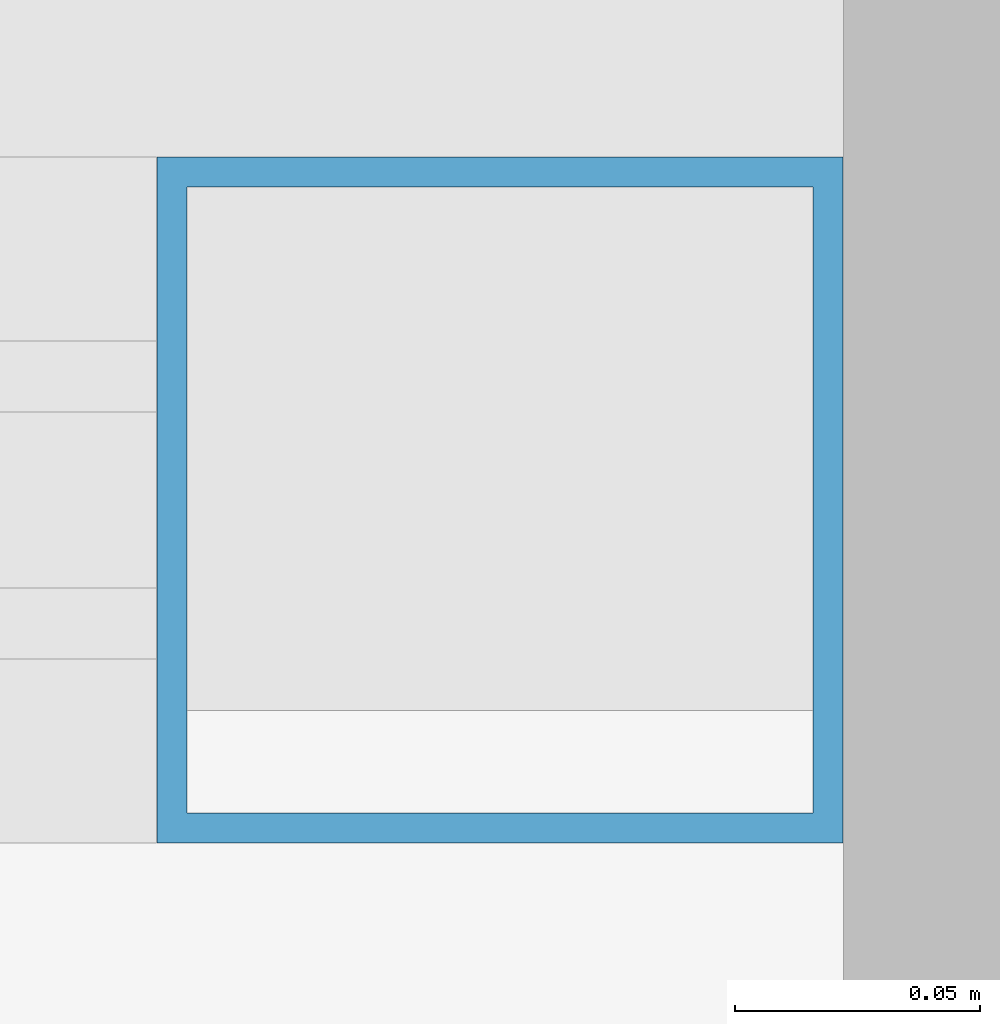
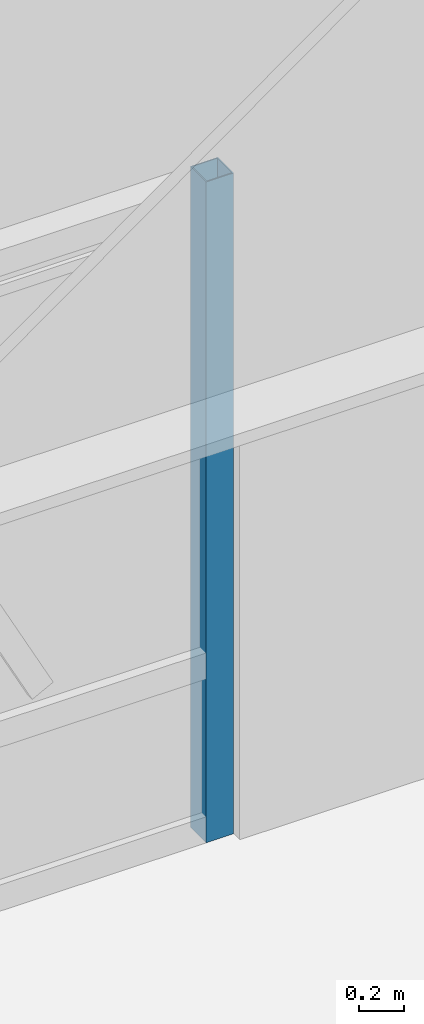
# One storey, part 10 of 28: 1 member, 1 element without a shape of its own.
"""IFC4 building model written with IfcOpenShell, lengths in metres."""

from ifc_helpers import new_model, si_unit, direction, frame, origin, origin_2d, place, context, subcontext, project, spatial, hollow_rectangle, extrude, source, transform, mapped, material, material_profile, profile_set, type_object, element, aggregate, save


model = new_model("IFC4")

# Units and contexts
model_context = context("Model", 3, precision=1e-05, world=origin(), true_north=direction((0.0, 1.0)))
body_context = subcontext(model_context, "Body", "Model", "MODEL_VIEW")
ifc_project = project(units=[si_unit("LENGTHUNIT", "METRE"), si_unit("AREAUNIT", "SQUARE_METRE"), si_unit("VOLUMEUNIT", "CUBIC_METRE"), si_unit("PLANEANGLEUNIT", "RADIAN"), si_unit("MASSUNIT", "GRAM", prefix="KILO")], contexts=[model_context])

# Site, building, storey
site_placement = place(None, origin())
site = spatial("IfcSite", under=ifc_project, at=site_placement, CompositionType="ELEMENT")
building_placement = place(site_placement, origin())
building = spatial("IfcBuilding", under=site, at=building_placement, Name="Khorayat Bourse Tower", CompositionType="ELEMENT")
storey_placement = place(building_placement, frame((0.0, 0.0, 6.60009765625)))
storey = spatial("IfcBuildingStorey", under=building, at=storey_placement, Name="L01", CompositionType="ELEMENT", Elevation=6.60009765625)

# Curtain wall, member
ifc_material = material(Name="Aluminium EN AW-6063 T6", Category="aluminium")
curtain_wall_type = type_object("IfcCurtainWallType", Name="CW-SYS-01", PredefinedType="NOTDEFINED", material=ifc_material)
curtain_wall_placement = place(storey_placement, origin())
curtain_wall = element("IfcCurtainWall", 1, at=curtain_wall_placement, inside=storey, type_object=curtain_wall_type, Name="L01 Curtain Wall CW-L01-NW", PredefinedType="NOTDEFINED")
ifc_material_profile = material_profile(ifc_material, hollow_rectangle(XDim=0.139892578125, YDim=0.139892578125, WallThickness=0.006103515625, at=origin_2d()), Name="ALU 140x140x6")
ifc_profile_set = profile_set([ifc_material_profile], Name="Aluminium EN AW-6063 T6")
member_type = type_object("IfcMemberType", Name="CWM-VERT-140", PredefinedType="MULLION", material=ifc_profile_set)
shared_shape = source(origin(), body_context, "Body", "SweptSolid", [
    extrude(hollow_rectangle(XDim=0.139892578125, YDim=0.139892578125, WallThickness=0.006103515625, at=origin_2d()), origin(), (0.0, 0.0, 1.0), 3.5498046875),
])
member_placement = place(storey_placement, frame((-0.969970703125, 36.742919921875, 0.0), z_axis=(0.0, 0.0, 1.0), x_axis=(0.0, -1.0, 0.0)))
member = element("IfcMember", 2, at=member_placement, type_object=member_type, Name="CW-L01-NW Vertical Mullion 1", PredefinedType="MULLION", context=body_context, shape_type="MappedRepresentation", body=[
    mapped(shared_shape, transform((0.0, 0.0, 0.0), scale=1.0)),
])
aggregate(curtain_wall, [member])

save(model, "model.ifc")
